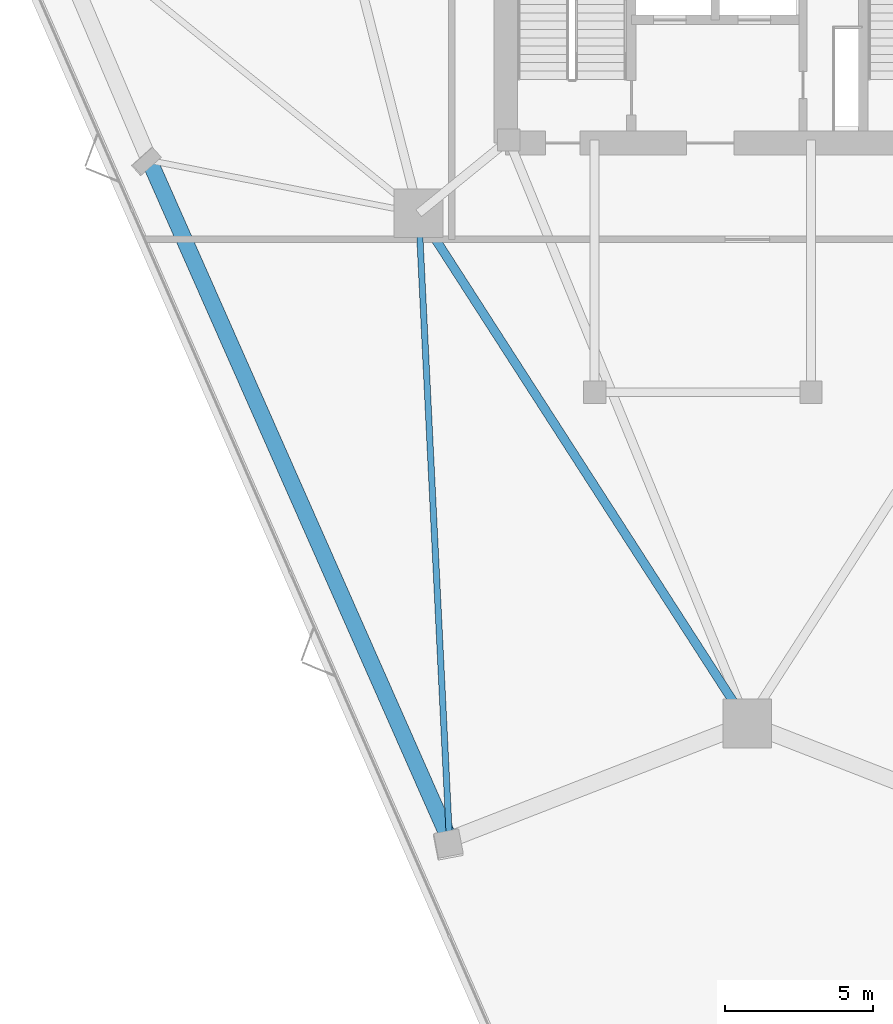
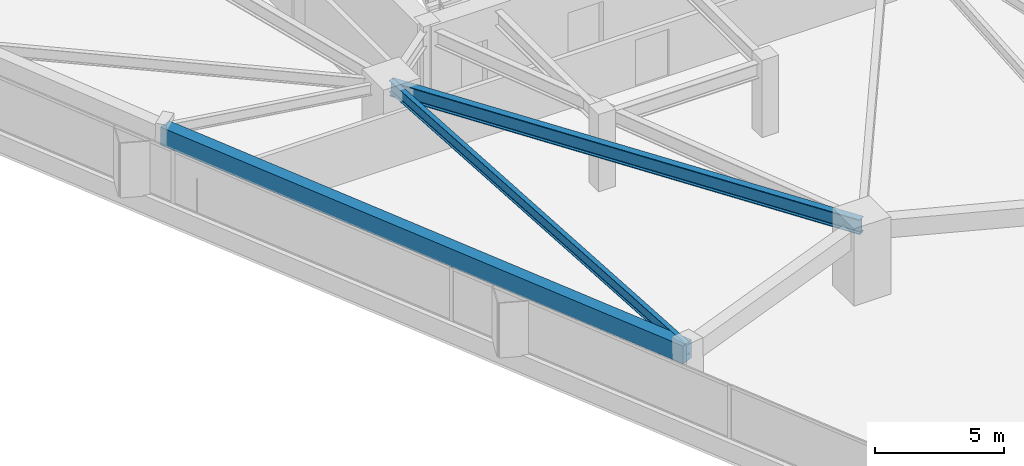
# One storey, part 3 of 19: 3 beams.
"""IFC4 building model written with IfcOpenShell, lengths in metres."""

import ifcopenshell
import ifcopenshell.guid

model = None  # the IFC model being written
_history = None  # IfcOwnerHistory: only IFC2X3 demands one
_inside = {}  # id of a spatial element -> (the spatial element, [elements in it])
_under = {}  # id of a project, library or spatial element -> (it, [spatial elements below it])
_declared = {}  # id of a project -> (the project, [libraries it declares])
_typed = {}  # id of a type object -> (the type object, [elements of that type])
_made_of = {}  # id of a material, layer set ... -> (it, [elements and type objects made of it])


def new_model(schema):
    """Start an empty IFC model of exactly this schema.

    Asked for "IFC4X3", IfcOpenShell would pick the latest addendum, in which some entities
    have other attributes; the version numbers below select the first issue.
    IFC2X3 requires an IfcOwnerHistory on every rooted entity: one is made here for all.
    """
    global model, _history
    if schema == "IFC4X3":
        model = ifcopenshell.file(schema_version=(4, 3, 0, 0))
    else:
        model = ifcopenshell.file(schema=schema)
    _inside.clear()
    _under.clear()
    _declared.clear()
    _typed.clear()
    _made_of.clear()
    _history = None
    if model.schema == "IFC2X3":
        org = make("IfcOrganization", Name="unknown")
        user = make(
            "IfcPersonAndOrganization",
            ThePerson=make("IfcPerson", FamilyName="unknown"),
            TheOrganization=org,
        )
        app = make(
            "IfcApplication",
            ApplicationDeveloper=org,
            Version="unknown",
            ApplicationFullName="unknown",
            ApplicationIdentifier="unknown",
        )
        _history = make(
            "IfcOwnerHistory",
            OwningUser=user,
            OwningApplication=app,
            ChangeAction="ADDED",
            CreationDate=0,
        )
    return model


def make(cls, **values):
    """One entity of the class cls with the attributes given. An attribute that is None is left unset."""
    return model.create_entity(
        cls, **{name: value for name, value in values.items() if value is not None}
    )


def rooted(cls, **values):
    """An entity with a GlobalId (a new one), such as an element, a storey or a relation."""
    return make(cls, GlobalId=ifcopenshell.guid.new(), OwnerHistory=_history, **values)


def si_unit(unit_type, name, prefix=None):
    """IfcSIUnit, for example si_unit("LENGTHUNIT", "METRE", prefix="MILLI")."""
    return make("IfcSIUnit", UnitType=unit_type, Prefix=prefix, Name=name)


def assignment(units):
    """IfcUnitAssignment: the units of a project."""
    return None if units is None else make("IfcUnitAssignment", Units=units)


def point(xyz):
    """IfcCartesianPoint."""
    return None if xyz is None else make("IfcCartesianPoint", Coordinates=xyz)


def direction(xyz):
    """IfcDirection."""
    return None if xyz is None else make("IfcDirection", DirectionRatios=xyz)


def frame(location, z_axis=None, x_axis=None):
    """IfcAxis2Placement3D, a coordinate frame: its origin and axes. An axis left out is left unset."""
    return make(
        "IfcAxis2Placement3D",
        Location=point(location),
        Axis=direction(z_axis),
        RefDirection=direction(x_axis),
    )


def frame_2d(location, x_axis=None):
    """IfcAxis2Placement2D, a coordinate frame in the plane: its origin and x axis."""
    return make(
        "IfcAxis2Placement2D", Location=point(location), RefDirection=direction(x_axis)
    )


def origin():
    """The frame at (0, 0, 0) with its axes left unset."""
    return frame((0.0, 0.0, 0.0))


def origin_2d():
    """The frame at (0, 0) in the plane with its x axis left unset."""
    return frame_2d((0.0, 0.0))


def place(relative_to, where):
    """IfcLocalPlacement: puts the frame where relative to a parent placement (None: the world)."""
    return make(
        "IfcLocalPlacement", PlacementRelTo=relative_to, RelativePlacement=where
    )


def context(
    kind, dimensions, precision=None, world=None, true_north=None, identifier=None
):
    """IfcGeometricRepresentationContext, for example the 3D "Model" context."""
    return make(
        "IfcGeometricRepresentationContext",
        ContextIdentifier=identifier,
        ContextType=kind,
        CoordinateSpaceDimension=dimensions,
        Precision=precision,
        WorldCoordinateSystem=world,
        TrueNorth=true_north,
    )


def subcontext(parent, identifier, kind, view, scale=None):
    """IfcGeometricRepresentationSubContext, for example "Body" below "Model"."""
    return make(
        "IfcGeometricRepresentationSubContext",
        ContextIdentifier=identifier,
        ContextType=kind,
        ParentContext=parent,
        TargetScale=scale,
        TargetView=view,
    )


def project(units=None, contexts=None):
    """IfcProject with its units and contexts."""
    return rooted(
        "IfcProject",
        Name="project",
        RepresentationContexts=contexts,
        UnitsInContext=assignment(units),
    )


def spatial(cls, under=None, at=None, **own):
    """A site, building, storey or space (cls), placed at a placement, below another one or the project."""
    s = rooted(cls, ObjectPlacement=at, **own)
    if under is not None:
        _under.setdefault(under.id(), (under, []))[1].append(s)
    return s


def profile(cls, at=None, kind="AREA", **sizes):
    """A parametric profile (cls). Its sizes go by their IFC names, for example OverallWidth=200.0."""
    return make(cls, ProfileType=kind, Position=at, **sizes)


def rectangle(**sizes):
    """IfcRectangleProfileDef."""
    return profile("IfcRectangleProfileDef", **sizes)


def i_section(**sizes):
    """IfcIShapeProfileDef."""
    return profile("IfcIShapeProfileDef", **sizes)


def extrude(swept, where, along, depth):
    """IfcExtrudedAreaSolid: the profile swept, set in the frame where, extruded along a direction by depth."""
    return make(
        "IfcExtrudedAreaSolid",
        SweptArea=swept,
        Position=where,
        ExtrudedDirection=direction(along),
        Depth=depth,
    )


def shape(context_of_items, identifier, shape_type, items):
    """IfcShapeRepresentation: the items that make up one representation, for example the "Body"."""
    return make(
        "IfcShapeRepresentation",
        ContextOfItems=context_of_items,
        RepresentationIdentifier=identifier,
        RepresentationType=shape_type,
        Items=items,
    )


def material(Name=None, Category=None):
    """IfcMaterial."""
    return make("IfcMaterial", Name=Name, Category=Category)


def material_profile(
    of_material, cross_section, Name=None, Category=None, Priority=None
):
    """IfcMaterialProfile: a cross section and its material."""
    return make(
        "IfcMaterialProfile",
        Name=Name,
        Material=of_material,
        Profile=cross_section,
        Priority=Priority,
        Category=Category,
    )


def profile_set(profiles, Name=None, composite=None):
    """IfcMaterialProfileSet."""
    return make(
        "IfcMaterialProfileSet",
        Name=Name,
        MaterialProfiles=profiles,
        CompositeProfile=composite,
    )


def made_of(thing, what):
    """Note that an element or type object is made of a material, layer set ...; save() writes the relation."""
    if what is not None:
        _made_of.setdefault(what.id(), (what, []))[1].append(thing)
    return thing


def type_object(cls, material=None, **own):
    """A type object (cls), such as IfcWallType, which elements share."""
    return made_of(rooted(cls, **own), material)


def element(
    cls,
    number,
    at=None,
    inside=None,
    cuts=None,
    type_object=None,
    material=None,
    context=None,
    identifier="Body",
    shape_type=None,
    held_by="IfcProductDefinitionShape",
    body=None,
    shapes=None,
    **own,
):
    """One element of the class cls, such as IfcWall. Its Tag is "e" and its number.

    at: its placement. inside: the storey or other place that contains it. cuts: it is an
    opening in that element (IfcRelVoidsElement). A single representation is given by context,
    identifier, shape_type and body (its items); several are given by shapes. held_by: the class
    of the entity that holds the representations. save() writes the other relations.
    """
    e = rooted(cls, Tag="e%d" % number, ObjectPlacement=at, **own)
    if body is not None:
        shapes = [shape(context, identifier, shape_type, body)]
    if shapes is not None:
        e.Representation = make(held_by, Representations=shapes)
    if inside is not None:
        _inside.setdefault(inside.id(), (inside, []))[1].append(e)
    if cuts is not None:
        rooted(
            "IfcRelVoidsElement", RelatingBuildingElement=cuts, RelatedOpeningElement=e
        )
    if type_object is not None:
        _typed.setdefault(type_object.id(), (type_object, []))[1].append(e)
    return made_of(e, material)


def aggregate(whole, parts):
    """IfcRelAggregates: a whole, such as a stair, and the parts it consists of."""
    return rooted("IfcRelAggregates", RelatingObject=whole, RelatedObjects=parts)


def save(model, path):
    """Write the relations noted so far, then the file.

    IfcRelAggregates (storeys below a building ...), IfcRelContainedInSpatialStructure (elements
    in a storey), IfcRelDefinesByType, IfcRelAssociatesMaterial and IfcRelDeclares: one each for
    every whole, place, type object, material and project.
    """
    for whole, parts in _under.values():
        aggregate(whole, parts)
    for where, things in _inside.values():
        rooted(
            "IfcRelContainedInSpatialStructure",
            RelatedElements=things,
            RelatingStructure=where,
        )
    for kind, things in _typed.values():
        rooted("IfcRelDefinesByType", RelatedObjects=things, RelatingType=kind)
    for what, things in _made_of.values():
        rooted("IfcRelAssociatesMaterial", RelatedObjects=things, RelatingMaterial=what)
    for by, libraries in _declared.values():
        rooted("IfcRelDeclares", RelatingContext=by, RelatedDefinitions=libraries)
    model.write(path)


model = new_model("IFC4")

# Units and contexts
model_context = context("Model", 3, precision=1e-05, world=origin(), true_north=direction((0.0, 1.0)))
body_context = subcontext(model_context, "Body", "Model", "MODEL_VIEW")
ifc_project = project(units=[si_unit("LENGTHUNIT", "METRE"), si_unit("AREAUNIT", "SQUARE_METRE"), si_unit("VOLUMEUNIT", "CUBIC_METRE"), si_unit("PLANEANGLEUNIT", "RADIAN"), si_unit("MASSUNIT", "GRAM", prefix="KILO")], contexts=[model_context])

# Site, building, storey
site_placement = place(None, origin())
site = spatial("IfcSite", under=ifc_project, at=site_placement, CompositionType="ELEMENT")
building_placement = place(site_placement, origin())
building = spatial("IfcBuilding", under=site, at=building_placement, Name="Talyreon Biosciences Tower", CompositionType="ELEMENT")
storey_placement = place(building_placement, frame((0.0, 0.0, 85.949951171875)))
storey = spatial("IfcBuildingStorey", under=building, at=storey_placement, Name="L22", CompositionType="ELEMENT", Elevation=85.949951171875)

# Beams
ifc_material_1 = material(Name="Precast concrete C45/55", Category="concrete")
ifc_material_profile_1 = material_profile(ifc_material_1, rectangle(XDim=0.550048828125, YDim=0.85009765625, at=origin_2d()), Name="RCB 550x850")
ifc_profile_set_1 = profile_set([ifc_material_profile_1], Name="Precast concrete C45/55")
beam_type_1 = type_object("IfcBeamType", Name="ExpressedSpandrel_550x850", PredefinedType="SPANDREL", material=ifc_profile_set_1)
beam_1_placement = place(storey_placement, frame((45.82470703125, 60.660888671875, 2.949951171875), z_axis=(0.404248609125, -0.914649146952, 0.0), x_axis=(0.914649146952, 0.404248609125, 0.0)))
element("IfcBeam", 1, at=beam_1_placement, inside=storey, type_object=beam_type_1, Name="L22 Expressed Horizontal Concrete Spandrel 11", PredefinedType="SPANDREL", context=body_context, shape_type="SweptSolid", body=[
    extrude(rectangle(XDim=0.550048828125, YDim=0.85009765625, at=origin_2d()), origin(), (0.0, 0.0, 1.0), 25.05078125),
])
ifc_material_2 = material(Name="Steel SM355", Category="steel")
ifc_material_profile_2 = material_profile(ifc_material_2, i_section(OverallWidth=0.300048828125, OverallDepth=0.699951171875, WebThickness=0.01708984375, FlangeThickness=0.031982421875, FilletRadius=0.027099609375, at=origin_2d()), Name="HE700B")
ifc_profile_set_2 = profile_set([ifc_material_profile_2], Name="Steel SM355")
beam_type_2 = type_object("IfcBeamType", Name="SteelGirder_HE700B", PredefinedType="BEAM", material=ifc_profile_set_2)
beam_2_placement = place(storey_placement, frame((54.913818359375, 58.88037109375, 3.025146484375), z_axis=(0.541463723609, -0.840724114092, 0.0), x_axis=(0.840724114092, 0.541463723609, 0.0)))
element("IfcBeam", 2, at=beam_2_placement, inside=storey, type_object=beam_type_2, Name="L22 Mega-Ring Girder 6", PredefinedType="BEAM", context=body_context, shape_type="SweptSolid", body=[
    extrude(i_section(OverallWidth=0.300048828125, OverallDepth=0.699951171875, WebThickness=0.01708984375, FlangeThickness=0.031982421875, FilletRadius=0.027099609375, at=origin_2d()), origin(), (0.0, 0.0, 1.0), 20.474365234375),
])
ifc_material_profile_3 = material_profile(ifc_material_2, i_section(OverallWidth=0.2099609375, OverallDepth=0.550048828125, WebThickness=0.010986328125, FlangeThickness=0.01708984375, FilletRadius=0.02392578125, at=origin_2d()), Name="IPE550")
ifc_profile_set_3 = profile_set([ifc_material_profile_3], Name="Steel SM355")
beam_type_3 = type_object("IfcBeamType", Name="SteelJoist_IPE550", PredefinedType="JOIST", material=ifc_profile_set_3)
beam_3_placement = place(storey_placement, frame((54.913818359375, 58.88037109375, 3.10009765625), z_axis=(0.04904151195, -0.998796741137, 0.0), x_axis=(0.998796741137, 0.04904151195, 0.0)))
element("IfcBeam", 3, at=beam_3_placement, inside=storey, type_object=beam_type_3, Name="L22 Radial Composite Floor Joist PC-SW2", PredefinedType="JOIST", context=body_context, shape_type="SweptSolid", body=[
    extrude(i_section(OverallWidth=0.2099609375, OverallDepth=0.550048828125, WebThickness=0.010986328125, FlangeThickness=0.01708984375, FilletRadius=0.02392578125, at=origin_2d()), origin(), (0.0, 0.0, 1.0), 21.157470703125),
])

save(model, "model.ifc")
